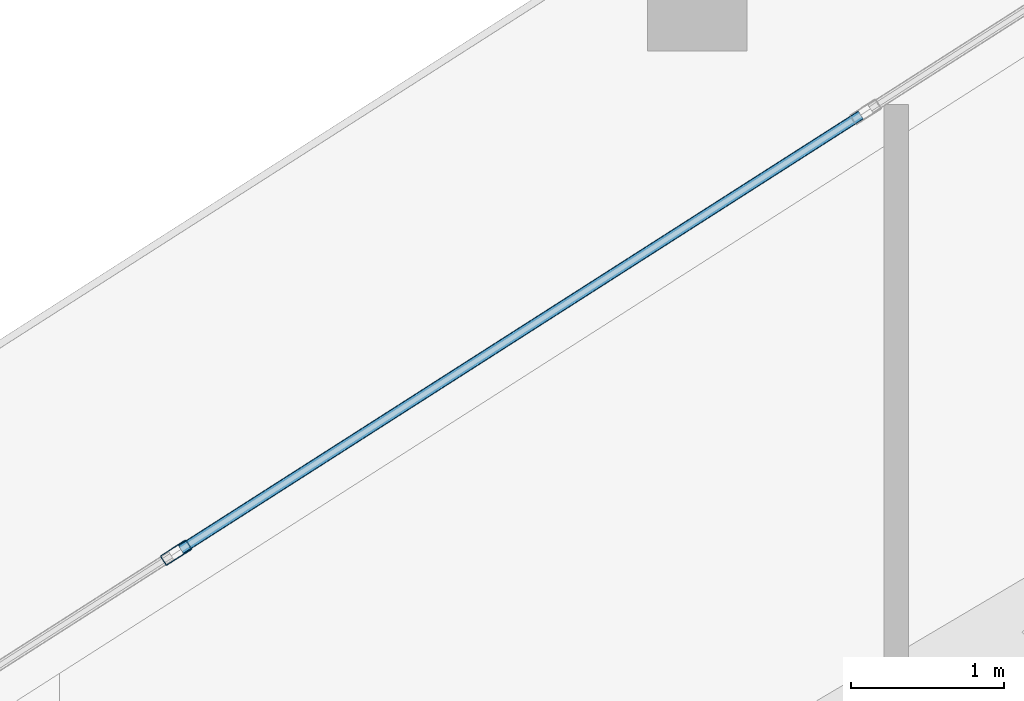
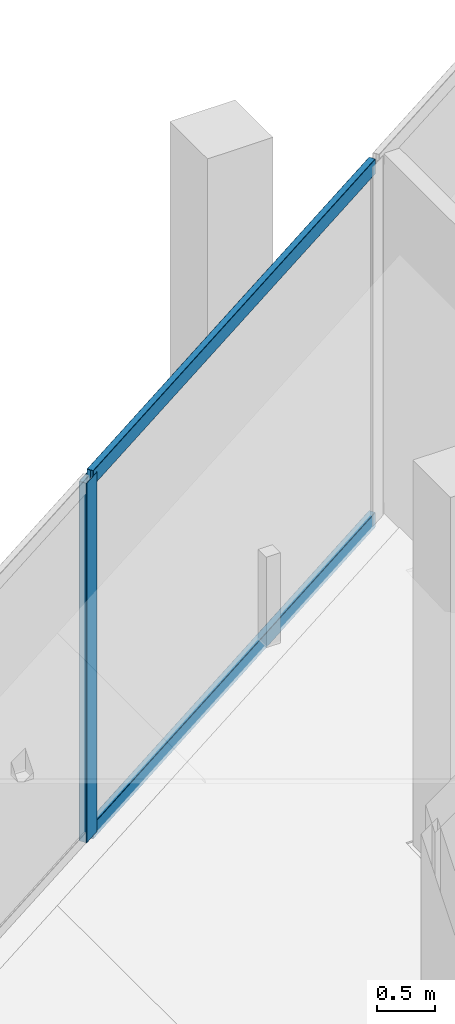
# One storey, part 16 of 39: 3 members, 1 element without a shape of its own.
"""IFC4 building model written with IfcOpenShell, lengths in metres."""

from ifc_helpers import new_model, si_unit, direction, frame, origin, origin_2d, place, context, subcontext, project, spatial, hollow_rectangle, extrude, material, layer, layer_set, material_profile, profile_set, type_object, element, aggregate, save


model = new_model("IFC4")

# Units and contexts
model_context = context("Model", 3, precision=1e-05, world=origin(), true_north=direction((0.0, 1.0)))
body_context = subcontext(model_context, "Body", "Model", "MODEL_VIEW")
ifc_project = project(units=[si_unit("LENGTHUNIT", "METRE"), si_unit("AREAUNIT", "SQUARE_METRE"), si_unit("VOLUMEUNIT", "CUBIC_METRE"), si_unit("PLANEANGLEUNIT", "RADIAN"), si_unit("MASSUNIT", "GRAM", prefix="KILO")], contexts=[model_context])

# Site, building, storey
site_placement = place(None, origin())
site = spatial("IfcSite", under=ifc_project, at=site_placement, CompositionType="ELEMENT")
building_placement = place(site_placement, origin())
building = spatial("IfcBuilding", under=site, at=building_placement, Name="Qorvath Tower", CompositionType="ELEMENT")
storey_placement = place(building_placement, frame((0.0, 0.0, 154.35009765625)))
storey = spatial("IfcBuildingStorey", under=building, at=storey_placement, Name="L35", CompositionType="ELEMENT", Elevation=154.35009765625)

# Curtain wall, members
ifc_material_1 = material(Name="Anodised aluminium and triple low-E glass", Category="aluminium")
ifc_layer = layer(ifc_material_1, 0.179931640625)
ifc_layer_set = layer_set([ifc_layer], Name="CW-SYS-5")
curtain_wall_type = type_object("IfcCurtainWallType", Name="CW-SYS-5", PredefinedType="NOTDEFINED", material=ifc_layer_set)
curtain_wall_placement = place(storey_placement, origin())
curtain_wall = element("IfcCurtainWall", 1, at=curtain_wall_placement, inside=storey, type_object=curtain_wall_type, Name="Curtain Wall CW-5 CW-T-L35-16.1", PredefinedType="NOTDEFINED")
ifc_material_2 = material(Name="Anodised aluminium 6063-T6", Category="aluminium")
ifc_material_profile_1 = material_profile(ifc_material_2, hollow_rectangle(XDim=0.074951171875, YDim=0.199951171875, WallThickness=0.00390625, InnerFilletRadius=0.00390625, OuterFilletRadius=0.008056640625, at=origin_2d()), Name="CWM 200x75")
ifc_profile_set_1 = profile_set([ifc_material_profile_1], Name="Anodised aluminium 6063-T6")
member_type_1 = type_object("IfcMemberType", Name="CWM-200", PredefinedType="MULLION", material=ifc_profile_set_1)
member_1_placement = place(storey_placement, frame((-38.657470703125, 15.224365234375, 0.0), z_axis=(0.0, 0.0, 1.0), x_axis=(0.538535404822, -0.842602882592, 0.0)))
member_1 = element("IfcMember", 2, at=member_1_placement, type_object=member_type_1, Name="CW-5 mullion 6", PredefinedType="MULLION", context=body_context, shape_type="SweptSolid", body=[
    extrude(hollow_rectangle(XDim=0.074951171875, YDim=0.199951171875, WallThickness=0.00390625, InnerFilletRadius=0.00390625, OuterFilletRadius=0.008056640625, at=origin_2d()), origin(), (0.0, 0.0, 1.0), 3.77978515625),
])
ifc_material_3 = material(Name="Anodised aluminium 6063-T6", Category="aluminium")
ifc_material_profile_2 = material_profile(ifc_material_3, hollow_rectangle(XDim=0.06494140625, YDim=0.159912109375, WallThickness=0.00341796875, InnerFilletRadius=0.00341796875, OuterFilletRadius=0.007080078125, at=origin_2d()), Name="CWT 160x65")
ifc_profile_set_2 = profile_set([ifc_material_profile_2], Name="Anodised aluminium 6063-T6")
member_type_2 = type_object("IfcMemberType", Name="CWT-160", PredefinedType="USERDEFINED", material=ifc_profile_set_2)
member_2_placement = place(storey_placement, frame((-34.1826171875, 18.084228515625, 0.032470703125), z_axis=(-0.842607560857, -0.538528085049, 0.0), x_axis=(0.538528085049, -0.842607560857, 0.0)))
member_2 = element("IfcMember", 3, at=member_2_placement, type_object=member_type_2, Name="CW-5 transom 5.1", ObjectType="TRANSOM", PredefinedType="USERDEFINED", context=body_context, shape_type="SweptSolid", body=[
    extrude(hollow_rectangle(XDim=0.06494140625, YDim=0.159912109375, WallThickness=0.00341796875, InnerFilletRadius=0.00341796875, OuterFilletRadius=0.007080078125, at=origin_2d()), origin(), (0.0, 0.0, 1.0), 5.2734375),
])
member_3_placement = place(storey_placement, frame((-34.1826171875, 18.084228515625, 3.747314453125), z_axis=(-0.842607560857, -0.538528085049, 0.0), x_axis=(0.538528085049, -0.842607560857, 0.0)))
member_3 = element("IfcMember", 4, at=member_3_placement, type_object=member_type_2, Name="CW-5 transom 5.2", ObjectType="TRANSOM", PredefinedType="USERDEFINED", context=body_context, shape_type="SweptSolid", body=[
    extrude(hollow_rectangle(XDim=0.06494140625, YDim=0.159912109375, WallThickness=0.00341796875, InnerFilletRadius=0.00341796875, OuterFilletRadius=0.007080078125, at=origin_2d()), origin(), (0.0, 0.0, 1.0), 5.2734375),
])
aggregate(curtain_wall, [member_1, member_2, member_3])

save(model, "model.ifc")
